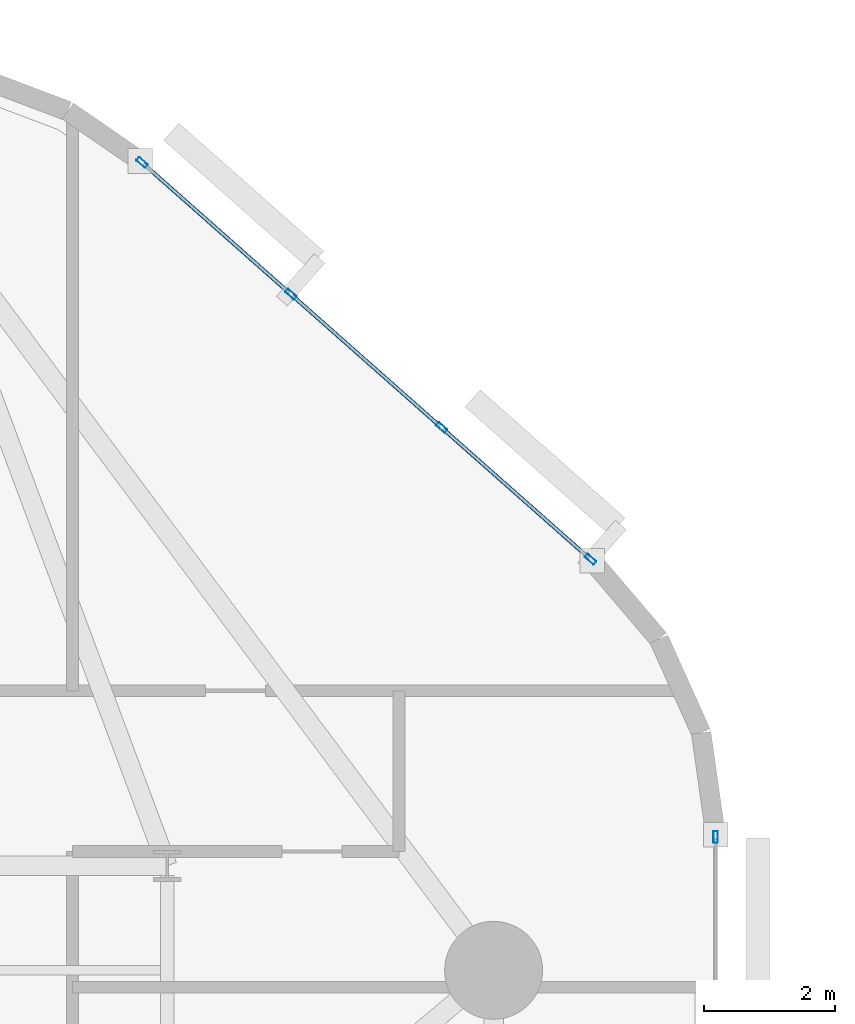
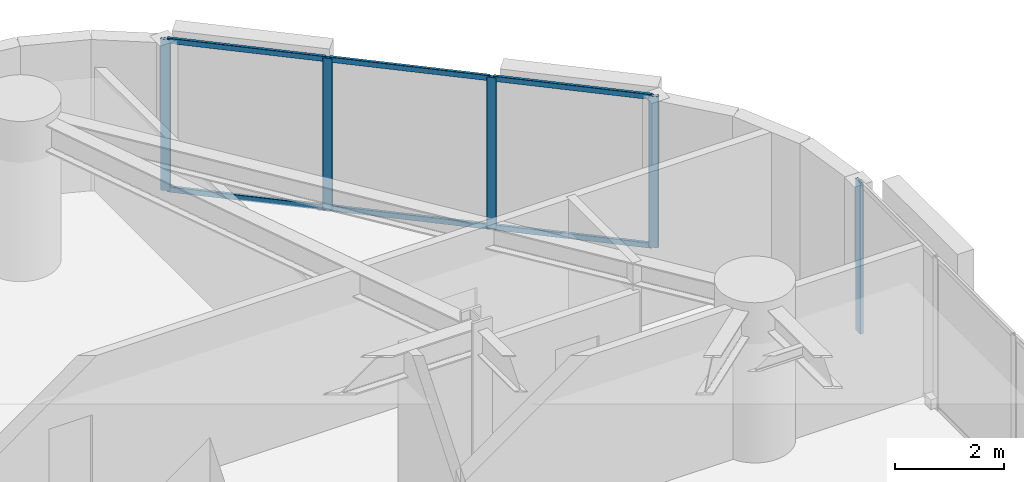
# One storey, part 8 of 16: 11 members, 2 elements without a shape of their own.
"""IFC4 building model written with IfcOpenShell, lengths in metres."""

from ifc_helpers import new_model, si_unit, direction, frame, origin, origin_2d, place, context, subcontext, project, spatial, hollow_rectangle, extrude, material, layer, layer_set, material_profile, profile_set, type_object, element, aggregate, save


model = new_model("IFC4")

# Units and contexts
model_context = context("Model", 3, precision=1e-05, world=origin(), true_north=direction((0.0, 1.0)))
body_context = subcontext(model_context, "Body", "Model", "MODEL_VIEW")
ifc_project = project(units=[si_unit("LENGTHUNIT", "METRE"), si_unit("AREAUNIT", "SQUARE_METRE"), si_unit("VOLUMEUNIT", "CUBIC_METRE"), si_unit("PLANEANGLEUNIT", "RADIAN"), si_unit("MASSUNIT", "GRAM", prefix="KILO")], contexts=[model_context])

# Site, building, storey
site_placement = place(None, origin())
site = spatial("IfcSite", under=ifc_project, at=site_placement, CompositionType="ELEMENT")
building_placement = place(site_placement, origin())
building = spatial("IfcBuilding", under=site, at=building_placement, Name="An Khanh Terracotta Commons", CompositionType="ELEMENT")
storey_placement = place(building_placement, frame((0.0, 0.0, 39.60009765625)))
storey = spatial("IfcBuildingStorey", under=building, at=storey_placement, Name="L10", CompositionType="ELEMENT", Elevation=39.60009765625)

# Curtain wall, member
ifc_material = material(Name="Anodised Aluminium 6063-T6", Category="aluminium")
ifc_layer = layer(ifc_material, 0.199951171875, Name="Anodised Aluminium 6063-T6")
ifc_layer_set = layer_set([ifc_layer], Name="Anodised Aluminium 6063-T6")
curtain_wall_type = type_object("IfcCurtainWallType", Name="CW-SYS-02", PredefinedType="USERDEFINED", material=ifc_layer_set)
curtain_wall_1_placement = place(storey_placement, origin())
curtain_wall_1 = element("IfcCurtainWall", 1, at=curtain_wall_1_placement, inside=storey, type_object=curtain_wall_type, Name="L10 CW-02 Unitised Curtain Wall CW-L10-12", ObjectType="UNITISED CURTAIN WALL", PredefinedType="USERDEFINED")
ifc_material_profile_1 = material_profile(ifc_material, hollow_rectangle(XDim=0.070068359375, YDim=0.179931640625, WallThickness=0.00390625, InnerFilletRadius=0.00390625, OuterFilletRadius=0.008056640625, at=origin_2d()), Name="RHS180x70x4")
ifc_profile_set_1 = profile_set([ifc_material_profile_1], Name="Anodised Aluminium 6063-T6")
member_type_1 = type_object("IfcMemberType", Name="CWM-RHS180x70x4", PredefinedType="MULLION", material=ifc_profile_set_1)
member_1_placement = place(storey_placement, frame((51.60009765625, 34.0419921875, 0.0), z_axis=(0.0, 0.0, 1.0), x_axis=(-1.0, 0.0, 0.0)))
member_1 = element("IfcMember", 2, at=member_1_placement, type_object=member_type_1, Name="CW-02 mullion 8", PredefinedType="MULLION", context=body_context, shape_type="SweptSolid", body=[
    extrude(hollow_rectangle(XDim=0.070068359375, YDim=0.179931640625, WallThickness=0.00390625, InnerFilletRadius=0.00390625, OuterFilletRadius=0.008056640625, at=origin_2d()), origin(), (0.0, 0.0, 1.0), 3.39990234375),
])
aggregate(curtain_wall_1, [member_1])

# Curtain wall, members
curtain_wall_2_placement = place(storey_placement, origin())
curtain_wall_2 = element("IfcCurtainWall", 3, at=curtain_wall_2_placement, inside=storey, type_object=curtain_wall_type, Name="L10 CW-02 Unitised Curtain Wall CW-L10-16", ObjectType="UNITISED CURTAIN WALL", PredefinedType="USERDEFINED")
member_2_placement = place(storey_placement, frame((49.683837890625, 38.295166015625, 0.0), z_axis=(0.0, 0.0, 1.0), x_axis=(-0.662548195415, -0.749019284633, 0.0)))
member_2 = element("IfcMember", 4, at=member_2_placement, type_object=member_type_1, Name="CW-02 mullion 1", PredefinedType="MULLION", context=body_context, shape_type="SweptSolid", body=[
    extrude(hollow_rectangle(XDim=0.070068359375, YDim=0.179931640625, WallThickness=0.00390625, InnerFilletRadius=0.00390625, OuterFilletRadius=0.008056640625, at=origin_2d()), origin(), (0.0, 0.0, 1.0), 3.39990234375),
])
member_3_placement = place(storey_placement, frame((47.403076171875, 40.312744140625, 0.0), z_axis=(0.0, 0.0, 1.0), x_axis=(-0.662548195415, -0.749019284633, 0.0)))
member_3 = element("IfcMember", 5, at=member_3_placement, type_object=member_type_1, Name="CW-02 mullion 2", PredefinedType="MULLION", context=body_context, shape_type="SweptSolid", body=[
    extrude(hollow_rectangle(XDim=0.070068359375, YDim=0.179931640625, WallThickness=0.00390625, InnerFilletRadius=0.00390625, OuterFilletRadius=0.008056640625, at=origin_2d()), origin(), (0.0, 0.0, 1.0), 3.39990234375),
])
member_4_placement = place(storey_placement, frame((45.095947265625, 42.353271484375, 0.0), z_axis=(0.0, 0.0, 1.0), x_axis=(-0.662548195415, -0.749019284633, 0.0)))
member_4 = element("IfcMember", 6, at=member_4_placement, type_object=member_type_1, Name="CW-02 mullion 3", PredefinedType="MULLION", context=body_context, shape_type="SweptSolid", body=[
    extrude(hollow_rectangle(XDim=0.070068359375, YDim=0.179931640625, WallThickness=0.00390625, InnerFilletRadius=0.00390625, OuterFilletRadius=0.008056640625, at=origin_2d()), origin(), (0.0, 0.0, 1.0), 3.39990234375),
])
member_5_placement = place(storey_placement, frame((42.815185546875, 44.370849609375, 0.0), z_axis=(0.0, 0.0, 1.0), x_axis=(-0.662548195415, -0.749019284633, 0.0)))
member_5 = element("IfcMember", 7, at=member_5_placement, type_object=member_type_1, Name="CW-02 mullion 4", PredefinedType="MULLION", context=body_context, shape_type="SweptSolid", body=[
    extrude(hollow_rectangle(XDim=0.070068359375, YDim=0.179931640625, WallThickness=0.00390625, InnerFilletRadius=0.00390625, OuterFilletRadius=0.008056640625, at=origin_2d()), origin(), (0.0, 0.0, 1.0), 3.39990234375),
])
ifc_material_profile_2 = material_profile(ifc_material, hollow_rectangle(XDim=0.06005859375, YDim=0.1201171875, WallThickness=0.003662109375, InnerFilletRadius=0.003662109375, OuterFilletRadius=0.007080078125, at=origin_2d()), Name="RHS120x60x3.6")
ifc_profile_set_2 = profile_set([ifc_material_profile_2], Name="Anodised Aluminium 6063-T6")
member_type_2 = type_object("IfcMemberType", Name="CWT-RHS120x60x3.6", PredefinedType="USERDEFINED", material=ifc_profile_set_2)
member_6_placement = place(storey_placement, frame((49.657470703125, 38.318359375, 0.02978515625), z_axis=(-0.74899186341, 0.662579194168, 0.0), x_axis=(-0.662579194168, -0.74899186341, 0.0)))
member_6 = element("IfcMember", 8, at=member_6_placement, type_object=member_type_2, Name="CW-02 transom 1.1", ObjectType="TRANSOM", PredefinedType="USERDEFINED", context=body_context, shape_type="SweptSolid", body=[
    extrude(hollow_rectangle(XDim=0.06005859375, YDim=0.1201171875, WallThickness=0.003662109375, InnerFilletRadius=0.003662109375, OuterFilletRadius=0.007080078125, at=origin_2d()), origin(), (0.0, 0.0, 1.0), 2.97509765625),
])
member_7_placement = place(storey_placement, frame((49.657470703125, 38.318359375, 3.369873046875), z_axis=(-0.74899186341, 0.662579194168, 0.0), x_axis=(-0.662579194168, -0.74899186341, 0.0)))
member_7 = element("IfcMember", 9, at=member_7_placement, type_object=member_type_2, Name="CW-02 transom 1.2", ObjectType="TRANSOM", PredefinedType="USERDEFINED", context=body_context, shape_type="SweptSolid", body=[
    extrude(hollow_rectangle(XDim=0.06005859375, YDim=0.1201171875, WallThickness=0.003662109375, InnerFilletRadius=0.003662109375, OuterFilletRadius=0.007080078125, at=origin_2d()), origin(), (0.0, 0.0, 1.0), 2.97509765625),
])
member_8_placement = place(storey_placement, frame((47.376708984375, 40.3359375, 0.02978515625), z_axis=(-0.749018237701, 0.662549378984, 0.0), x_axis=(-0.662549378984, -0.749018237701, 0.0)))
member_8 = element("IfcMember", 10, at=member_8_placement, type_object=member_type_2, Name="CW-02 transom 2.1", ObjectType="TRANSOM", PredefinedType="USERDEFINED", context=body_context, shape_type="SweptSolid", body=[
    extrude(hollow_rectangle(XDim=0.06005859375, YDim=0.1201171875, WallThickness=0.003662109375, InnerFilletRadius=0.003662109375, OuterFilletRadius=0.007080078125, at=origin_2d()), origin(), (0.0, 0.0, 1.0), 3.009765625),
])
member_9_placement = place(storey_placement, frame((47.376708984375, 40.3359375, 3.369873046875), z_axis=(-0.749018237701, 0.662549378984, 0.0), x_axis=(-0.662549378984, -0.749018237701, 0.0)))
member_9 = element("IfcMember", 11, at=member_9_placement, type_object=member_type_2, Name="CW-02 transom 2.2", ObjectType="TRANSOM", PredefinedType="USERDEFINED", context=body_context, shape_type="SweptSolid", body=[
    extrude(hollow_rectangle(XDim=0.06005859375, YDim=0.1201171875, WallThickness=0.003662109375, InnerFilletRadius=0.003662109375, OuterFilletRadius=0.007080078125, at=origin_2d()), origin(), (0.0, 0.0, 1.0), 3.009765625),
])
member_10_placement = place(storey_placement, frame((45.06982421875, 42.37646484375, 0.02978515625), z_axis=(-0.74899186341, 0.662579194168, 0.0), x_axis=(-0.662579194168, -0.74899186341, 0.0)))
member_10 = element("IfcMember", 12, at=member_10_placement, type_object=member_type_2, Name="CW-02 transom 3.1", ObjectType="TRANSOM", PredefinedType="USERDEFINED", context=body_context, shape_type="SweptSolid", body=[
    extrude(hollow_rectangle(XDim=0.06005859375, YDim=0.1201171875, WallThickness=0.003662109375, InnerFilletRadius=0.003662109375, OuterFilletRadius=0.007080078125, at=origin_2d()), origin(), (0.0, 0.0, 1.0), 2.97509765625),
])
member_11_placement = place(storey_placement, frame((45.06982421875, 42.37646484375, 3.369873046875), z_axis=(-0.74899186341, 0.662579194168, 0.0), x_axis=(-0.662579194168, -0.74899186341, 0.0)))
member_11 = element("IfcMember", 13, at=member_11_placement, type_object=member_type_2, Name="CW-02 transom 3.2", ObjectType="TRANSOM", PredefinedType="USERDEFINED", context=body_context, shape_type="SweptSolid", body=[
    extrude(hollow_rectangle(XDim=0.06005859375, YDim=0.1201171875, WallThickness=0.003662109375, InnerFilletRadius=0.003662109375, OuterFilletRadius=0.007080078125, at=origin_2d()), origin(), (0.0, 0.0, 1.0), 2.97509765625),
])
aggregate(curtain_wall_2, [member_2, member_3, member_4, member_5, member_6, member_7, member_8, member_9, member_10, member_11])

save(model, "model.ifc")
